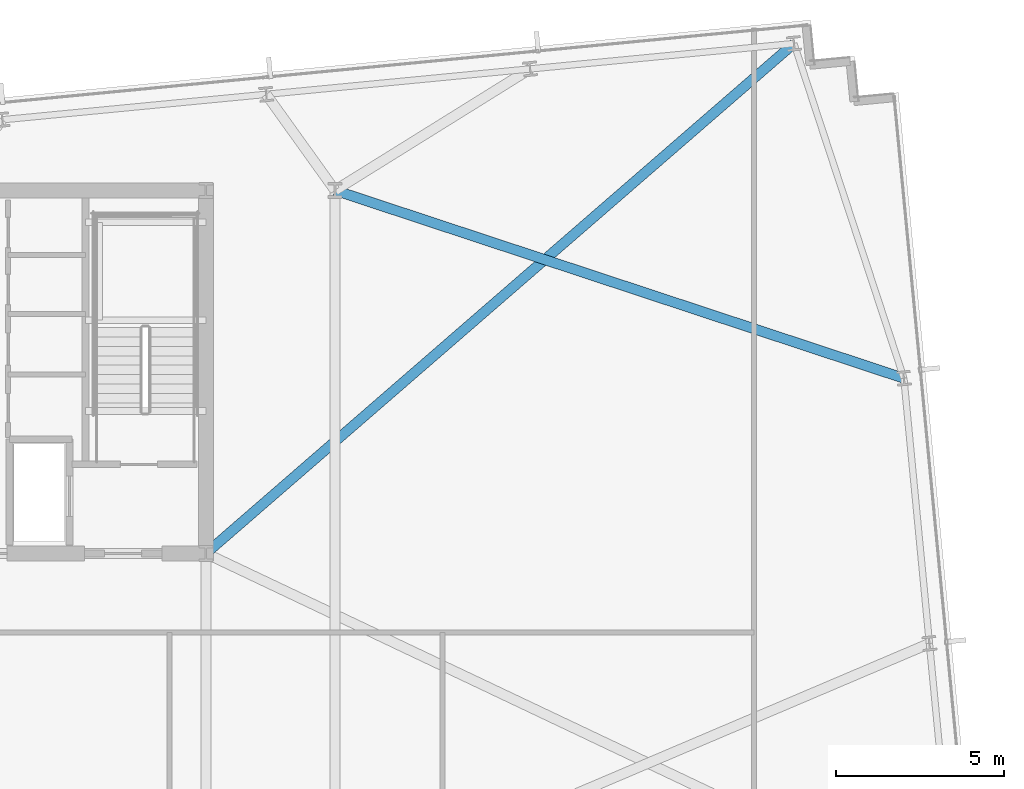
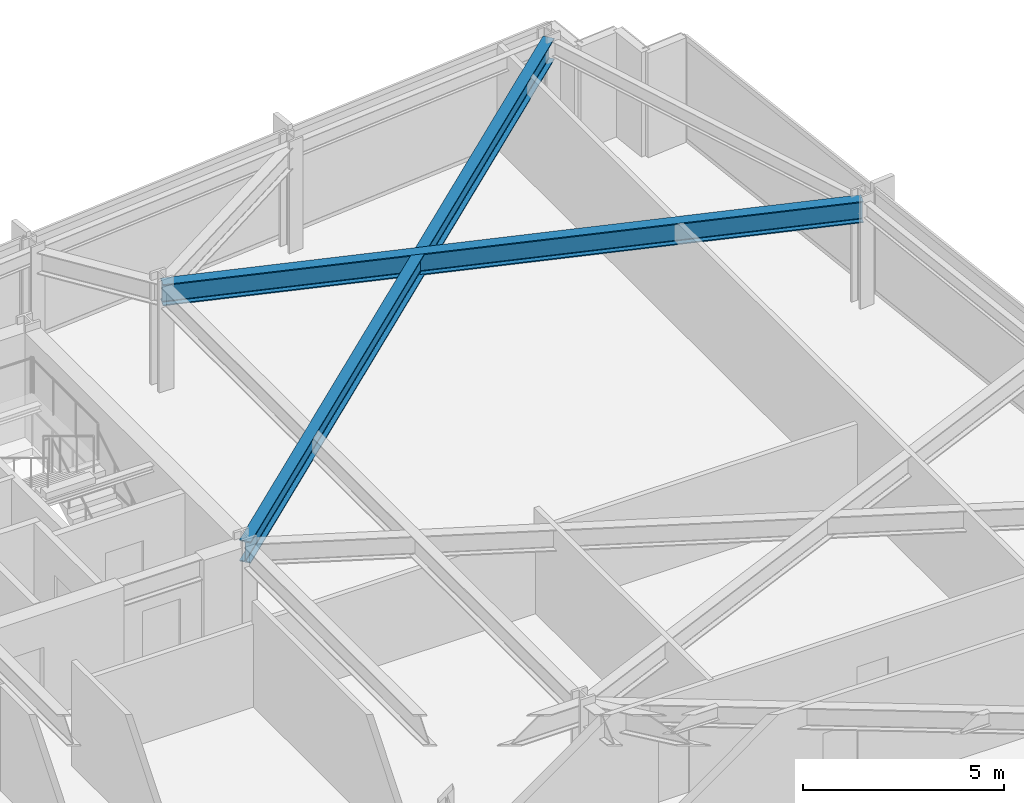
# One storey, part 22 of 32: 2 beams.
"""IFC4 building model written with IfcOpenShell, lengths in metres."""

from ifc_helpers import new_model, si_unit, direction, frame, origin, origin_2d, place, context, subcontext, project, spatial, i_section, extrude, material, material_profile, profile_set, type_object, element, save


model = new_model("IFC4")

# Units and contexts
model_context = context("Model", 3, precision=1e-05, world=origin(), true_north=direction((0.0, 1.0)))
body_context = subcontext(model_context, "Body", "Model", "MODEL_VIEW")
ifc_project = project(units=[si_unit("LENGTHUNIT", "METRE"), si_unit("AREAUNIT", "SQUARE_METRE"), si_unit("VOLUMEUNIT", "CUBIC_METRE"), si_unit("PLANEANGLEUNIT", "RADIAN"), si_unit("MASSUNIT", "GRAM", prefix="KILO")], contexts=[model_context])

# Site, building, storey
site_placement = place(None, origin())
site = spatial("IfcSite", under=ifc_project, at=site_placement, CompositionType="ELEMENT")
building_placement = place(site_placement, origin())
building = spatial("IfcBuilding", under=site, at=building_placement, Name="Yelkora Congress Tower", CompositionType="ELEMENT")
storey_placement = place(building_placement, frame((0.0, 0.0, 96.5)))
storey = spatial("IfcBuildingStorey", under=building, at=storey_placement, Name="L25", CompositionType="ELEMENT", Elevation=96.5)

# Beams
ifc_material = material(Name="Steel S355J2", Category="steel")
ifc_material_profile = material_profile(ifc_material, i_section(OverallWidth=0.300048828125, OverallDepth=0.64990234375, WebThickness=0.01611328125, FlangeThickness=0.031005859375, FilletRadius=0.027099609375, at=origin_2d()), Name="HEB 650")
ifc_profile_set = profile_set([ifc_material_profile], Name="Steel S355J2")
beam_type = type_object("IfcBeamType", Name="BM-GIRD-HEB650", PredefinedType="BEAM", material=ifc_profile_set)
beam_1_placement = place(storey_placement, frame((71.252685546875, 50.568115234375, 2.85498046875), z_axis=(-0.755520317406, -0.655125217029, 0.0), x_axis=(0.655125217029, -0.755520317406, 0.0)))
element("IfcBeam", 1, at=beam_1_placement, inside=storey, type_object=beam_type, Name="L25 Primary Frame Girder N08", PredefinedType="BEAM", context=body_context, shape_type="SweptSolid", body=[
    extrude(i_section(OverallWidth=0.300048828125, OverallDepth=0.64990234375, WebThickness=0.01611328125, FlangeThickness=0.031005859375, FilletRadius=0.027099609375, at=origin_2d()), origin(), (0.0, 0.0, 1.0), 23.153076171875),
])
beam_2_placement = place(storey_placement, frame((74.522216796875, 40.610595703125, 2.85498046875), z_axis=(-0.949544183597, 0.313633294465, 0.0), x_axis=(-0.313633294465, -0.949544183597, 0.0)))
element("IfcBeam", 2, at=beam_2_placement, inside=storey, type_object=beam_type, Name="L25 Primary Frame Girder E03", PredefinedType="BEAM", context=body_context, shape_type="SweptSolid", body=[
    extrude(i_section(OverallWidth=0.300048828125, OverallDepth=0.64990234375, WebThickness=0.01611328125, FlangeThickness=0.031005859375, FilletRadius=0.027099609375, at=origin_2d()), origin(), (0.0, 0.0, 1.0), 17.8212890625),
])

save(model, "model.ifc")
